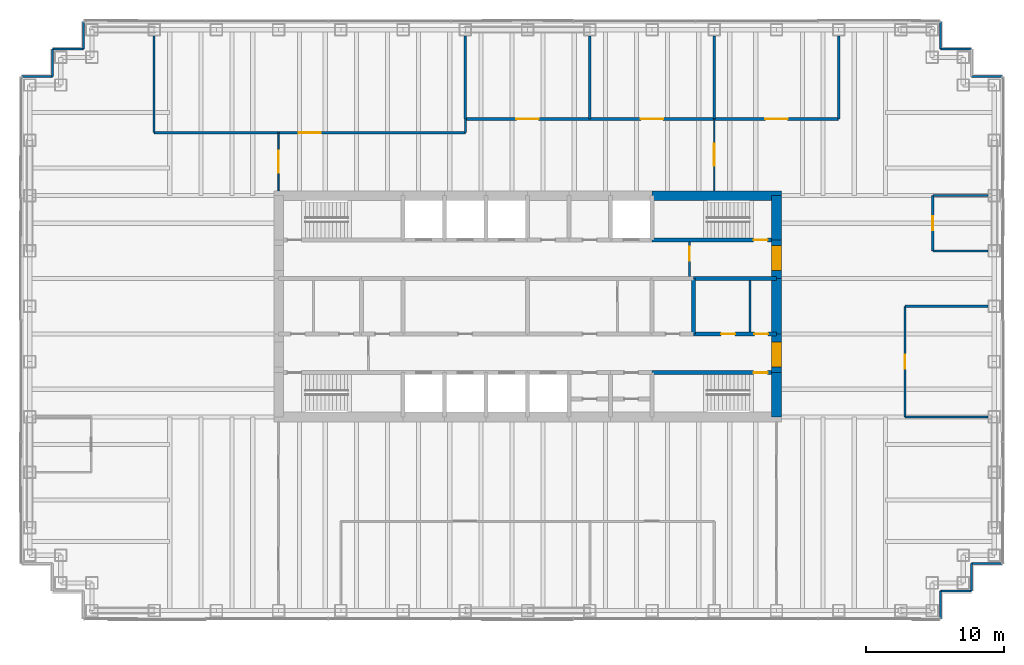
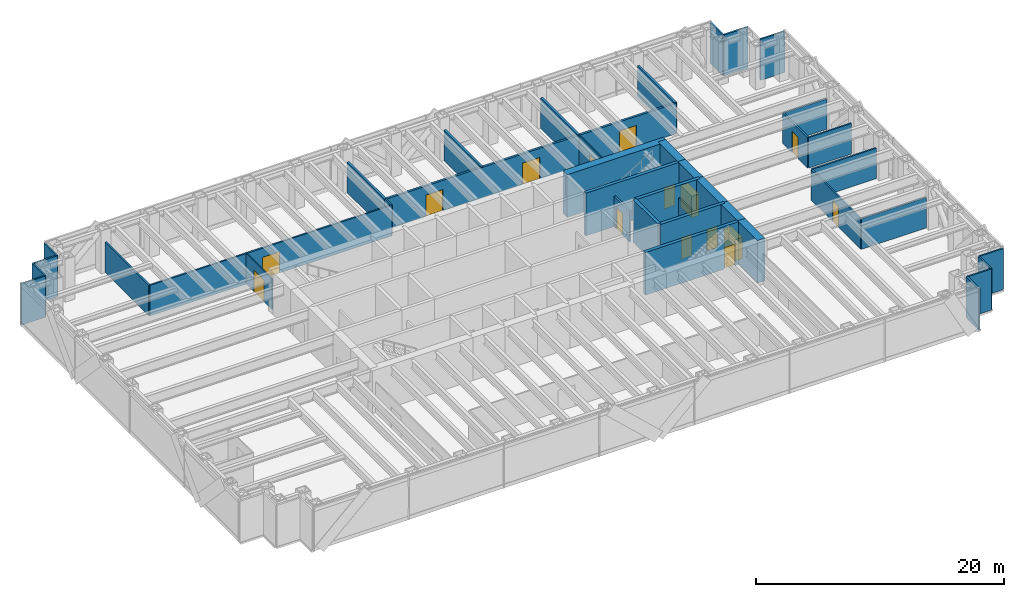
# One storey, part 15 of 17: 40 walls, 15 doors, 15 openings.
"""IFC4 building model written with IfcOpenShell, lengths in metres."""

from ifc_helpers import new_model, si_unit, direction, frame, frame_2d, origin, place, context, subcontext, project, spatial, rectangle, extrude, material, layer, layer_set, type_object, element, fill, save


model = new_model("IFC4")

# Units and contexts
model_context = context("Model", 3, precision=1e-05, world=origin(), true_north=direction((0.0, 1.0)))
body_context = subcontext(model_context, "Body", "Model", "MODEL_VIEW")
ifc_project = project(units=[si_unit("LENGTHUNIT", "METRE"), si_unit("AREAUNIT", "SQUARE_METRE"), si_unit("VOLUMEUNIT", "CUBIC_METRE"), si_unit("PLANEANGLEUNIT", "RADIAN"), si_unit("MASSUNIT", "GRAM", prefix="KILO")], contexts=[model_context])

# Site, building, storey
site_placement = place(None, origin())
site = spatial("IfcSite", under=ifc_project, at=site_placement, CompositionType="ELEMENT")
building_placement = place(site_placement, origin())
building = spatial("IfcBuilding", under=site, at=building_placement, Name="Rheinbord Bourse Tower", CompositionType="ELEMENT")
storey_placement = place(building_placement, frame((0.0, 0.0, 304.699951171875)))
storey = spatial("IfcBuildingStorey", under=building, at=storey_placement, Name="L69", CompositionType="ELEMENT", Elevation=304.699951171875)

# Wall, openings, doors
ifc_material_1 = material(Name="Acoustic gypsum board partition", Category="gypsum board")
ifc_layer_1 = layer(ifc_material_1, 0.199951171875)
ifc_layer_set_1 = layer_set([ifc_layer_1], Name="ACOUSTIC PARTITION 200")
wall_type_1 = type_object("IfcWallType", Name="ACOUSTIC PARTITION 200", PredefinedType="PARTITIONING", material=ifc_layer_set_1)
wall_1_placement = place(storey_placement, frame((31.5, 37.550048828125, 0.0), z_axis=(0.0, 0.0, 1.0), x_axis=(1.0, 0.0, 0.0)))
wall_1 = element("IfcWall", 1, at=wall_1_placement, inside=storey, type_object=wall_type_1, Name="Partition L69-10", PredefinedType="PARTITIONING", context=body_context, shape_type="SweptSolid", body=[
    extrude(rectangle(XDim=27.0, YDim=0.199951171875, at=frame_2d((13.5, 0.0))), origin(), (0.0, 0.0, 1.0), 3.0),
])
opening_1_placement = place(wall_1_placement, frame((3.699951171875, 0.0, 0.0)))
opening_1 = element("IfcOpeningElement", 2, at=opening_1_placement, cuts=wall_1, Name="Opening 69D07", PredefinedType="OPENING", context=body_context, shape_type="SweptSolid", body=[
    extrude(rectangle(XDim=1.60009765625, YDim=2.10009765625, at=frame_2d((0.800048828125, 1.050048828125))), frame((0.0, 0.10986328125, 0.0), z_axis=(0.0, -1.0, 0.0), x_axis=(1.0, 0.0, 0.0)), (0.0, 0.0, 1.0), 0.219970703125),
])
opening_2_placement = place(wall_1_placement, frame((12.699951171875, 0.0, 0.0)))
opening_2 = element("IfcOpeningElement", 3, at=opening_2_placement, cuts=wall_1, Name="Opening 69D08", PredefinedType="OPENING", context=body_context, shape_type="SweptSolid", body=[
    extrude(rectangle(XDim=1.60009765625, YDim=2.10009765625, at=frame_2d((0.800048828125, 1.050048828125))), frame((0.0, 0.10986328125, 0.0), z_axis=(0.0, -1.0, 0.0), x_axis=(1.0, 0.0, 0.0)), (0.0, 0.0, 1.0), 0.219970703125),
])
opening_3_placement = place(wall_1_placement, frame((21.699951171875, 0.0, 0.0)))
opening_3 = element("IfcOpeningElement", 4, at=opening_3_placement, cuts=wall_1, Name="Opening 69D09", PredefinedType="OPENING", context=body_context, shape_type="SweptSolid", body=[
    extrude(rectangle(XDim=1.60009765625, YDim=2.10009765625, at=frame_2d((0.800048828125, 1.050048828125))), frame((0.0, 0.10986328125, 0.0), z_axis=(0.0, -1.0, 0.0), x_axis=(1.0, 0.0, 0.0)), (0.0, 0.0, 1.0), 0.219970703125),
])
ifc_material_2 = material(Name="Timber door", Category="wood")
door_type_1 = type_object("IfcDoorType", Name="DOUBLE ROOM DOOR 1600", OperationType="DOUBLE_DOOR_DOUBLE_SWING", PredefinedType="DOOR", material=ifc_material_2)
door_1_placement = place(opening_1_placement, origin())
door_1 = element("IfcDoor", 5, at=door_1_placement, inside=storey, type_object=door_type_1, Name="Private dining room door L69", OperationType="SINGLE_SWING_LEFT", OverallHeight=2.10009765625, OverallWidth=1.60009765625, PredefinedType="DOOR", context=body_context, shape_type="SweptSolid", body=[
    extrude(rectangle(XDim=1.60009765625, YDim=2.10009765625, at=frame_2d((0.800048828125, 1.050048828125))), frame((0.0, 0.02490234375, 0.0), z_axis=(0.0, -1.0, 0.0), x_axis=(1.0, 0.0, 0.0)), (0.0, 0.0, 1.0), 0.050048828125),
])
fill(opening_1, door_1)
door_2_placement = place(opening_2_placement, origin())
door_2 = element("IfcDoor", 6, at=door_2_placement, inside=storey, type_object=door_type_1, Name="Private dining room door L69", OperationType="SINGLE_SWING_LEFT", OverallHeight=2.10009765625, OverallWidth=1.60009765625, PredefinedType="DOOR", context=body_context, shape_type="SweptSolid", body=[
    extrude(rectangle(XDim=1.60009765625, YDim=2.10009765625, at=frame_2d((0.800048828125, 1.050048828125))), frame((0.0, 0.02490234375, 0.0), z_axis=(0.0, -1.0, 0.0), x_axis=(1.0, 0.0, 0.0)), (0.0, 0.0, 1.0), 0.050048828125),
])
fill(opening_2, door_2)
door_3_placement = place(opening_3_placement, origin())
door_3 = element("IfcDoor", 7, at=door_3_placement, inside=storey, type_object=door_type_1, Name="Private dining room door L69", OperationType="SINGLE_SWING_LEFT", OverallHeight=2.10009765625, OverallWidth=1.60009765625, PredefinedType="DOOR", context=body_context, shape_type="SweptSolid", body=[
    extrude(rectangle(XDim=1.60009765625, YDim=2.10009765625, at=frame_2d((0.800048828125, 1.050048828125))), frame((0.0, 0.02490234375, 0.0), z_axis=(0.0, -1.0, 0.0), x_axis=(1.0, 0.0, 0.0)), (0.0, 0.0, 1.0), 0.050048828125),
])
fill(opening_3, door_3)

# Walls
for number, where, z_axis, x_axis, name in (
    (8, (31.5, 37.550048828125, 0.0), (0.0, 0.0, 1.0), (0.0, 1.0, 0.0), "Partition L69-17"),
    (9, (40.5, 37.550048828125, 0.0), (0.0, 0.0, 1.0), (0.0, 1.0, 0.0), "Partition L69-19"),
    (10, (49.5, 37.550048828125, 0.0), (0.0, 0.0, 1.0), (0.0, 1.0, 0.0), "Partition L69-22"),
    (11, (58.5, 37.550048828125, 0.0), (0.0, 0.0, 1.0), (0.0, 1.0, 0.0), "Partition L69-24"),
):
    element("IfcWall", number, at=place(storey_placement, frame(where, z_axis=z_axis, x_axis=x_axis)), inside=storey, type_object=wall_type_1, Name=name, PredefinedType="PARTITIONING", context=body_context, shape_type="SweptSolid", body=[
        extrude(rectangle(XDim=6.0, YDim=0.199951171875, at=frame_2d((3.0, 0.0))), origin(), (0.0, 0.0, 1.0), 3.0),
    ])

# Wall, opening, door
ifc_material_3 = material(Name="Concrete C50/60", Category="concrete")
ifc_layer_2 = layer(ifc_material_3, 0.300048828125)
ifc_layer_set_2 = layer_set([ifc_layer_2], Name="CORE INNER WALL 300")
wall_type_2 = type_object("IfcWallType", Name="CORE INNER WALL 300", PredefinedType="SOLIDWALL", material=ifc_layer_set_2)
wall_2_placement = place(storey_placement, frame((45.0, 19.199951171875, 0.0), z_axis=(0.0, 0.0, 1.0), x_axis=(1.0, 0.0, 0.0)))
wall_2 = element("IfcWall", 12, at=wall_2_placement, inside=storey, type_object=wall_type_2, Name="Core wall A8 L69", PredefinedType="SOLIDWALL", context=body_context, shape_type="SweptSolid", body=[
    extrude(rectangle(XDim=9.0, YDim=0.300048828125, at=frame_2d((4.5, 0.0))), origin(), (0.0, 0.0, 1.0), 4.199951171875),
])
opening_4_placement = place(wall_2_placement, frame((7.35009765625, 0.0, 0.0)))
opening_4 = element("IfcOpeningElement", 13, at=opening_4_placement, cuts=wall_2, Name="Opening 6930", PredefinedType="OPENING", context=body_context, shape_type="SweptSolid", body=[
    extrude(rectangle(XDim=1.0, YDim=2.10009765625, at=frame_2d((0.5, 1.050048828125))), frame((0.0, 0.159912109375, 0.0), z_axis=(0.0, -1.0, 0.0), x_axis=(1.0, 0.0, 0.0)), (0.0, 0.0, 1.0), 0.320068359375),
])
ifc_material_4 = material(Name="Steel door", Category="steel")
door_type_2 = type_object("IfcDoorType", Name="DOOR 1000 EI30", OperationType="SINGLE_SWING_LEFT", PredefinedType="DOOR", material=ifc_material_4)
door_4_placement = place(opening_4_placement, origin())
door_4 = element("IfcDoor", 14, at=door_4_placement, inside=storey, type_object=door_type_2, Name="Stair door ST3 L69", OperationType="SINGLE_SWING_RIGHT", OverallHeight=2.10009765625, OverallWidth=1.0, PredefinedType="DOOR", context=body_context, shape_type="SweptSolid", body=[
    extrude(rectangle(XDim=1.0, YDim=2.10009765625, at=frame_2d((0.5, 1.050048828125))), frame((0.0, 0.02490234375, 0.0), z_axis=(0.0, -1.0, 0.0), x_axis=(1.0, 0.0, 0.0)), (0.0, 0.0, 1.0), 0.050048828125),
])
fill(opening_4, door_4)

wall_3_placement = place(storey_placement, frame((45.0, 28.800048828125, 0.0), z_axis=(0.0, 0.0, 1.0), x_axis=(1.0, 0.0, 0.0)))
wall_3 = element("IfcWall", 15, at=wall_3_placement, inside=storey, type_object=wall_type_2, Name="Core wall B8 L69", PredefinedType="SOLIDWALL", context=body_context, shape_type="SweptSolid", body=[
    extrude(rectangle(XDim=9.0, YDim=0.300048828125, at=frame_2d((4.5, 0.0))), origin(), (0.0, 0.0, 1.0), 4.199951171875),
])
opening_5_placement = place(wall_3_placement, frame((7.35009765625, 0.0, 0.0)))
opening_5 = element("IfcOpeningElement", 16, at=opening_5_placement, cuts=wall_3, Name="Opening 6940", PredefinedType="OPENING", context=body_context, shape_type="SweptSolid", body=[
    extrude(rectangle(XDim=1.0, YDim=2.10009765625, at=frame_2d((0.5, 1.050048828125))), frame((0.0, 0.159912109375, 0.0), z_axis=(0.0, -1.0, 0.0), x_axis=(1.0, 0.0, 0.0)), (0.0, 0.0, 1.0), 0.320068359375),
])
door_5_placement = place(opening_5_placement, origin())
door_5 = element("IfcDoor", 17, at=door_5_placement, inside=storey, type_object=door_type_2, Name="Stair door ST4 L69", OperationType="SINGLE_SWING_RIGHT", OverallHeight=2.10009765625, OverallWidth=1.0, PredefinedType="DOOR", context=body_context, shape_type="SweptSolid", body=[
    extrude(rectangle(XDim=1.0, YDim=2.10009765625, at=frame_2d((0.5, 1.050048828125))), frame((0.0, 0.02490234375, 0.0), z_axis=(0.0, -1.0, 0.0), x_axis=(1.0, 0.0, 0.0)), (0.0, 0.0, 1.0), 0.050048828125),
])
fill(opening_5, door_5)

# Wall, openings, doors
wall_4_placement = place(storey_placement, frame((48.0, 22.0, 0.0), z_axis=(0.0, 0.0, 1.0), x_axis=(1.0, 0.0, 0.0)))
wall_4 = element("IfcWall", 18, at=wall_4_placement, inside=storey, type_object=wall_type_2, Name="Core wall C6 L69", PredefinedType="SOLIDWALL", context=body_context, shape_type="SweptSolid", body=[
    extrude(rectangle(XDim=6.0, YDim=0.300048828125, at=frame_2d((3.0, 0.0))), origin(), (0.0, 0.0, 1.0), 4.199951171875),
])
opening_6_placement = place(wall_4_placement, frame((2.0, 0.0, 0.0)))
opening_6 = element("IfcOpeningElement", 19, at=opening_6_placement, cuts=wall_4, Name="Opening 69R6", PredefinedType="OPENING", context=body_context, shape_type="SweptSolid", body=[
    extrude(rectangle(XDim=1.0, YDim=2.10009765625, at=frame_2d((0.5, 1.050048828125))), frame((0.0, 0.159912109375, 0.0), z_axis=(0.0, -1.0, 0.0), x_axis=(1.0, 0.0, 0.0)), (0.0, 0.0, 1.0), 0.320068359375),
])
opening_7_placement = place(wall_4_placement, frame((4.39990234375, 0.0, 0.0)))
opening_7 = element("IfcOpeningElement", 20, at=opening_7_placement, cuts=wall_4, Name="Opening 69R10", PredefinedType="OPENING", context=body_context, shape_type="SweptSolid", body=[
    extrude(rectangle(XDim=1.0, YDim=2.10009765625, at=frame_2d((0.5, 1.050048828125))), frame((0.0, 0.159912109375, 0.0), z_axis=(0.0, -1.0, 0.0), x_axis=(1.0, 0.0, 0.0)), (0.0, 0.0, 1.0), 0.320068359375),
])
door_6_placement = place(opening_7_placement, origin())
door_6 = element("IfcDoor", 21, at=door_6_placement, inside=storey, type_object=door_type_2, Name="Cleaner's store door L69", OperationType="SINGLE_SWING_RIGHT", OverallHeight=2.10009765625, OverallWidth=1.0, PredefinedType="DOOR", context=body_context, shape_type="SweptSolid", body=[
    extrude(rectangle(XDim=1.0, YDim=2.10009765625, at=frame_2d((0.5, 1.050048828125))), frame((0.0, 0.02490234375, 0.0), z_axis=(0.0, -1.0, 0.0), x_axis=(1.0, 0.0, 0.0)), (0.0, 0.0, 1.0), 0.050048828125),
])
fill(opening_7, door_6)
ifc_material_5 = material(Name="Timber door", Category="wood")
door_type_3 = type_object("IfcDoorType", Name="DOOR 1000 WC", OperationType="SINGLE_SWING_LEFT", PredefinedType="DOOR", material=ifc_material_5)
door_7_placement = place(opening_6_placement, origin())
door_7 = element("IfcDoor", 22, at=door_7_placement, inside=storey, type_object=door_type_3, Name="WC women door L69", OperationType="SINGLE_SWING_LEFT", OverallHeight=2.10009765625, OverallWidth=1.0, PredefinedType="DOOR", context=body_context, shape_type="SweptSolid", body=[
    extrude(rectangle(XDim=1.0, YDim=2.10009765625, at=frame_2d((0.5, 1.050048828125))), frame((0.0, 0.02490234375, 0.0), z_axis=(0.0, -1.0, 0.0), x_axis=(1.0, 0.0, 0.0)), (0.0, 0.0, 1.0), 0.050048828125),
])
fill(opening_6, door_7)

# Walls
wall_5_placement = place(storey_placement, frame((48.0, 26.0, 0.0), z_axis=(0.0, 0.0, 1.0), x_axis=(1.0, 0.0, 0.0)))
element("IfcWall", 23, at=wall_5_placement, inside=storey, type_object=wall_type_2, Name="Core wall D6 L69", PredefinedType="SOLIDWALL", context=body_context, shape_type="SweptSolid", body=[
    extrude(rectangle(XDim=6.0, YDim=0.300048828125, at=frame_2d((3.0, 0.0))), origin(), (0.0, 0.0, 1.0), 4.199951171875),
])
wall_6_placement = place(storey_placement, frame((48.0, 22.0, 0.0), z_axis=(0.0, 0.0, 1.0), x_axis=(0.0, 1.0, 0.0)))
element("IfcWall", 24, at=wall_6_placement, inside=storey, type_object=wall_type_2, Name="Core wall MX48 L69", PredefinedType="SOLIDWALL", context=body_context, shape_type="SweptSolid", body=[
    extrude(rectangle(XDim=4.0, YDim=0.300048828125, at=frame_2d((2.0, 0.0))), origin(), (0.0, 0.0, 1.0), 4.199951171875),
])
ifc_material_6 = material(Name="Gypsum board fire partition", Category="gypsum board")
ifc_layer_3 = layer(ifc_material_6, 0.14990234375)
ifc_layer_set_3 = layer_set([ifc_layer_3], Name="CORE PARTITION 150 EI30")
wall_type_3 = type_object("IfcWallType", Name="CORE PARTITION 150 EI30", PredefinedType="PARTITIONING", material=ifc_layer_set_3)
wall_7_placement = place(storey_placement, frame((52.074951171875, 22.14990234375, 0.0), z_axis=(0.0, 0.0, 1.0), x_axis=(0.0, 1.0, 0.0)))
element("IfcWall", 25, at=wall_7_placement, inside=storey, type_object=wall_type_3, Name="Core partition L69-3", PredefinedType="PARTITIONING", context=body_context, shape_type="SweptSolid", body=[
    extrude(rectangle(XDim=3.7001953125, YDim=0.14990234375, at=frame_2d((1.85009765625, 0.0))), origin(), (0.0, 0.0, 1.0), 3.0),
])

# Wall, opening, door
wall_8_placement = place(storey_placement, frame((47.699951171875, 26.14990234375, 0.0), z_axis=(0.0, 0.0, 1.0), x_axis=(0.0, 1.0, 0.0)))
wall_8 = element("IfcWall", 26, at=wall_8_placement, inside=storey, type_object=wall_type_3, Name="Core partition L69-5", PredefinedType="PARTITIONING", context=body_context, shape_type="SweptSolid", body=[
    extrude(rectangle(XDim=2.5, YDim=0.14990234375, at=frame_2d((1.25, 0.0))), origin(), (0.0, 0.0, 1.0), 3.0),
])
opening_8_placement = place(wall_8_placement, frame((1.14990234375, 0.0, 0.0)))
opening_8 = element("IfcOpeningElement", 27, at=opening_8_placement, cuts=wall_8, Name="Opening 69L6", PredefinedType="OPENING", context=body_context, shape_type="SweptSolid", body=[
    extrude(rectangle(XDim=1.0, YDim=2.10009765625, at=frame_2d((0.5, 1.050048828125))), frame((0.0, 0.0849609375, 0.0), z_axis=(0.0, -1.0, 0.0), x_axis=(1.0, 0.0, 0.0)), (0.0, 0.0, 1.0), 0.169921875),
])
door_8_placement = place(opening_8_placement, origin())
door_8 = element("IfcDoor", 28, at=door_8_placement, inside=storey, type_object=door_type_2, Name="Stair lobby door L69", OperationType="SINGLE_SWING_RIGHT", OverallHeight=2.10009765625, OverallWidth=1.0, PredefinedType="DOOR", context=body_context, shape_type="SweptSolid", body=[
    extrude(rectangle(XDim=1.0, YDim=2.10009765625, at=frame_2d((0.5, 1.050048828125))), frame((0.0, 0.02490234375, 0.0), z_axis=(0.0, -1.0, 0.0), x_axis=(1.0, 0.0, 0.0)), (0.0, 0.0, 1.0), 0.050048828125),
])
fill(opening_8, door_8)

# Walls
ifc_material_7 = material(Name="Concrete C50/60", Category="concrete")
ifc_layer_4 = layer(ifc_material_7, 0.699951171875)
ifc_layer_set_4 = layer_set([ifc_layer_4], Name="CORE WALL 700")
wall_type_4 = type_object("IfcWallType", Name="CORE WALL 700", PredefinedType="SHEAR", material=ifc_layer_set_4)
wall_9_placement = place(storey_placement, frame((54.35009765625, 32.0, 0.0), z_axis=(0.0, 0.0, 1.0), x_axis=(-1.0, 0.0, 0.0)))
element("IfcWall", 29, at=wall_9_placement, inside=storey, type_object=wall_type_4, Name="Core wall N1 L69", PredefinedType="SHEAR", context=body_context, shape_type="SweptSolid", body=[
    extrude(rectangle(XDim=9.35009765625, YDim=0.699951171875, at=frame_2d((4.675048828125, 0.0))), origin(), (0.0, 0.0, 1.0), 4.199951171875),
])
wall_10_placement = place(storey_placement, frame((54.0, 16.0, 0.0), z_axis=(0.0, 0.0, 1.0), x_axis=(0.0, 1.0, 0.0)))
element("IfcWall", 30, at=wall_10_placement, inside=storey, type_object=wall_type_4, Name="Core wall E1 L69", PredefinedType="SHEAR", context=body_context, shape_type="SweptSolid", body=[
    extrude(rectangle(XDim=3.199951171875, YDim=0.699951171875, at=frame_2d((1.60009765625, 0.0))), origin(), (0.0, 0.0, 1.0), 4.199951171875),
])

# Wall, opening, door
wall_11_placement = place(storey_placement, frame((54.0, 19.199951171875, 0.0), z_axis=(0.0, 0.0, 1.0), x_axis=(0.0, 1.0, 0.0)))
wall_11 = element("IfcWall", 31, at=wall_11_placement, inside=storey, type_object=wall_type_4, Name="Core wall E2 L69", PredefinedType="SHEAR", context=body_context, shape_type="SweptSolid", body=[
    extrude(rectangle(XDim=2.800048828125, YDim=0.699951171875, at=frame_2d((1.39990234375, 0.0))), origin(), (0.0, 0.0, 1.0), 4.199951171875),
])
opening_9_placement = place(wall_11_placement, frame((0.39990234375, 0.0, 0.0)))
opening_9 = element("IfcOpeningElement", 32, at=opening_9_placement, cuts=wall_11, Name="Opening 69L3", PredefinedType="OPENING", context=body_context, shape_type="SweptSolid", body=[
    extrude(rectangle(XDim=1.800048828125, YDim=2.10009765625, at=frame_2d((0.89990234375, 1.050048828125))), frame((0.0, 0.35986328125, 0.0), z_axis=(0.0, -1.0, 0.0), x_axis=(1.0, 0.0, 0.0)), (0.0, 0.0, 1.0), 0.719970703125),
])
ifc_material_8 = material(Name="Steel door", Category="steel")
door_type_4 = type_object("IfcDoorType", Name="DOOR 1800 EI30 DOUBLE", OperationType="DOUBLE_DOOR_DOUBLE_SWING", PredefinedType="DOOR", material=ifc_material_8)
door_9_placement = place(opening_9_placement, origin())
door_9 = element("IfcDoor", 33, at=door_9_placement, inside=storey, type_object=door_type_4, Name="Lobby door 3 L69", OperationType="SINGLE_SWING_LEFT", OverallHeight=2.10009765625, OverallWidth=1.800048828125, PredefinedType="DOOR", context=body_context, shape_type="SweptSolid", body=[
    extrude(rectangle(XDim=1.800048828125, YDim=2.10009765625, at=frame_2d((0.89990234375, 1.050048828125))), frame((0.0, 0.349609375, 0.0), z_axis=(0.0, -1.0, 0.0), x_axis=(1.0, 0.0, 0.0)), (0.0, 0.0, 1.0), 0.699462890625),
])
fill(opening_9, door_9)

# Wall
wall_12_placement = place(storey_placement, frame((54.0, 22.0, 0.0), z_axis=(0.0, 0.0, 1.0), x_axis=(0.0, 1.0, 0.0)))
element("IfcWall", 34, at=wall_12_placement, inside=storey, type_object=wall_type_4, Name="Core wall E3 L69", PredefinedType="SHEAR", context=body_context, shape_type="SweptSolid", body=[
    extrude(rectangle(XDim=4.0, YDim=0.699951171875, at=frame_2d((2.0, 0.0))), origin(), (0.0, 0.0, 1.0), 4.199951171875),
])

# Wall, opening, door
wall_13_placement = place(storey_placement, frame((54.0, 26.0, 0.0), z_axis=(0.0, 0.0, 1.0), x_axis=(0.0, 1.0, 0.0)))
wall_13 = element("IfcWall", 35, at=wall_13_placement, inside=storey, type_object=wall_type_4, Name="Core wall E4 L69", PredefinedType="SHEAR", context=body_context, shape_type="SweptSolid", body=[
    extrude(rectangle(XDim=2.800048828125, YDim=0.699951171875, at=frame_2d((1.39990234375, 0.0))), origin(), (0.0, 0.0, 1.0), 4.199951171875),
])
opening_10_placement = place(wall_13_placement, frame((0.60009765625, 0.0, 0.0)))
opening_10 = element("IfcOpeningElement", 36, at=opening_10_placement, cuts=wall_13, Name="Opening 69L4", PredefinedType="OPENING", context=body_context, shape_type="SweptSolid", body=[
    extrude(rectangle(XDim=1.800048828125, YDim=2.10009765625, at=frame_2d((0.89990234375, 1.050048828125))), frame((0.0, 0.35986328125, 0.0), z_axis=(0.0, -1.0, 0.0), x_axis=(1.0, 0.0, 0.0)), (0.0, 0.0, 1.0), 0.719970703125),
])
door_10_placement = place(opening_10_placement, origin())
door_10 = element("IfcDoor", 37, at=door_10_placement, inside=storey, type_object=door_type_4, Name="Lobby door 4 L69", OperationType="SINGLE_SWING_LEFT", OverallHeight=2.10009765625, OverallWidth=1.800048828125, PredefinedType="DOOR", context=body_context, shape_type="SweptSolid", body=[
    extrude(rectangle(XDim=1.800048828125, YDim=2.10009765625, at=frame_2d((0.89990234375, 1.050048828125))), frame((0.0, 0.349609375, 0.0), z_axis=(0.0, -1.0, 0.0), x_axis=(1.0, 0.0, 0.0)), (0.0, 0.0, 1.0), 0.699462890625),
])
fill(opening_10, door_10)

# Walls
wall_14_placement = place(storey_placement, frame((54.0, 28.800048828125, 0.0), z_axis=(0.0, 0.0, 1.0), x_axis=(0.0, 1.0, 0.0)))
element("IfcWall", 38, at=wall_14_placement, inside=storey, type_object=wall_type_4, Name="Core wall E5 L69", PredefinedType="SHEAR", context=body_context, shape_type="SweptSolid", body=[
    extrude(rectangle(XDim=3.199951171875, YDim=0.699951171875, at=frame_2d((1.60009765625, 0.0))), origin(), (0.0, 0.0, 1.0), 4.199951171875),
])
ifc_material_9 = material(Name="Black metal rainscreen panel", Category="aluminium")
ifc_layer_5 = layer(ifc_material_9, 0.14990234375)
ifc_layer_set_5 = layer_set([ifc_layer_5], Name="CORNER PIER CLADDING 150")
wall_type_5 = type_object("IfcWallType", Name="CORNER PIER CLADDING 150", PredefinedType="ELEMENTEDWALL", material=ifc_layer_set_5)
wall_15_placement = place(storey_placement, frame((65.85009765625, 1.39990234375, 0.0), z_axis=(0.0, 0.0, 1.0), x_axis=(0.0, 1.0, 0.0)))
element("IfcWall", 39, at=wall_15_placement, inside=storey, type_object=wall_type_5, Name="Corner pier cladding L69 2", PredefinedType="ELEMENTEDWALL", context=body_context, shape_type="SweptSolid", body=[
    extrude(rectangle(XDim=2.0, YDim=0.14990234375, at=frame_2d((1.0, 0.0))), origin(), (0.0, 0.0, 1.0), 4.0400390625),
])
wall_16_placement = place(storey_placement, frame((65.85009765625, 3.39990234375, 0.0), z_axis=(0.0, 0.0, 1.0), x_axis=(1.0, 0.0, 0.0)))
element("IfcWall", 40, at=wall_16_placement, inside=storey, type_object=wall_type_5, Name="Corner pier cladding L69 3", PredefinedType="ELEMENTEDWALL", context=body_context, shape_type="SweptSolid", body=[
    extrude(rectangle(XDim=2.25, YDim=0.14990234375, at=frame_2d((1.125, 0.0))), origin(), (0.0, 0.0, 1.0), 4.0400390625),
])
wall_17_placement = place(storey_placement, frame((68.10009765625, 3.39990234375, 0.0), z_axis=(0.0, 0.0, 1.0), x_axis=(0.0, 1.0, 0.0)))
element("IfcWall", 41, at=wall_17_placement, inside=storey, type_object=wall_type_5, Name="Corner pier cladding L69 4", PredefinedType="ELEMENTEDWALL", context=body_context, shape_type="SweptSolid", body=[
    extrude(rectangle(XDim=2.0, YDim=0.14990234375, at=frame_2d((1.0, 0.0))), origin(), (0.0, 0.0, 1.0), 4.0400390625),
])
for number, where, z_axis, x_axis, name in (
    (42, (68.10009765625, 5.39990234375, 0.0), (0.0, 0.0, 1.0), (1.0, 0.0, 0.0), "Corner pier cladding L69 5"),
    (43, (70.35009765625, 40.60009765625, 0.0), (0.0, 0.0, 1.0), (-1.0, 0.0, 0.0), "Corner pier cladding L69 7"),
    (44, (68.10009765625, 42.60009765625, 0.0), (0.0, 0.0, 1.0), (-1.0, 0.0, 0.0), "Corner pier cladding L69 9"),
):
    element("IfcWall", number, at=place(storey_placement, frame(where, z_axis=z_axis, x_axis=x_axis)), inside=storey, type_object=wall_type_5, Name=name, PredefinedType="ELEMENTEDWALL", context=body_context, shape_type="SweptSolid", body=[
        extrude(rectangle(XDim=2.25, YDim=0.14990234375, at=frame_2d((1.125, 0.0))), origin(), (0.0, 0.0, 1.0), 4.0400390625),
    ])
for number, where, z_axis, x_axis, name in (
    (45, (65.85009765625, 42.60009765625, 0.0), (0.0, 0.0, 1.0), (0.0, 1.0, 0.0), "Corner pier cladding L69 10"),
    (46, (3.89990234375, 44.60009765625, 0.0), (0.0, 0.0, 1.0), (0.0, -1.0, 0.0), "Corner pier cladding L69 12"),
):
    element("IfcWall", number, at=place(storey_placement, frame(where, z_axis=z_axis, x_axis=x_axis)), inside=storey, type_object=wall_type_5, Name=name, PredefinedType="ELEMENTEDWALL", context=body_context, shape_type="SweptSolid", body=[
        extrude(rectangle(XDim=2.0, YDim=0.14990234375, at=frame_2d((1.0, 0.0))), origin(), (0.0, 0.0, 1.0), 4.0400390625),
    ])
wall_18_placement = place(storey_placement, frame((3.89990234375, 42.60009765625, 0.0), z_axis=(0.0, 0.0, 1.0), x_axis=(-1.0, 0.0, 0.0)))
element("IfcWall", 47, at=wall_18_placement, inside=storey, type_object=wall_type_5, Name="Corner pier cladding L69 13", PredefinedType="ELEMENTEDWALL", context=body_context, shape_type="SweptSolid", body=[
    extrude(rectangle(XDim=2.25, YDim=0.14990234375, at=frame_2d((1.125, 0.0))), origin(), (0.0, 0.0, 1.0), 4.0400390625),
])
wall_19_placement = place(storey_placement, frame((1.64990234375, 42.60009765625, 0.0), z_axis=(0.0, 0.0, 1.0), x_axis=(0.0, -1.0, 0.0)))
element("IfcWall", 48, at=wall_19_placement, inside=storey, type_object=wall_type_5, Name="Corner pier cladding L69 14", PredefinedType="ELEMENTEDWALL", context=body_context, shape_type="SweptSolid", body=[
    extrude(rectangle(XDim=2.0, YDim=0.14990234375, at=frame_2d((1.0, 0.0))), origin(), (0.0, 0.0, 1.0), 4.0400390625),
])
wall_20_placement = place(storey_placement, frame((1.64990234375, 40.60009765625, 0.0), z_axis=(0.0, 0.0, 1.0), x_axis=(-1.0, 0.0, 0.0)))
element("IfcWall", 49, at=wall_20_placement, inside=storey, type_object=wall_type_5, Name="Corner pier cladding L69 15", PredefinedType="ELEMENTEDWALL", context=body_context, shape_type="SweptSolid", body=[
    extrude(rectangle(XDim=2.25, YDim=0.14990234375, at=frame_2d((1.125, 0.0))), origin(), (0.0, 0.0, 1.0), 4.0400390625),
])

# Wall, opening, door
ifc_material_10 = material(Name="Toughened laminated glass partition", Category="glass")
ifc_layer_6 = layer(ifc_material_10, 0.10009765625)
ifc_layer_set_6 = layer_set([ifc_layer_6], Name="GLAZED PARTITION 100")
wall_type_6 = type_object("IfcWallType", Name="GLAZED PARTITION 100", PredefinedType="PARTITIONING", material=ifc_layer_set_6)
wall_21_placement = place(storey_placement, frame((18.0, 32.35009765625, 0.0), z_axis=(0.0, 0.0, 1.0), x_axis=(0.0, 1.0, 0.0)))
wall_21 = element("IfcWall", 50, at=wall_21_placement, inside=storey, type_object=wall_type_6, Name="Partition L69-14", PredefinedType="PARTITIONING", context=body_context, shape_type="SweptSolid", body=[
    extrude(rectangle(XDim=4.199951171875, YDim=0.10009765625, at=frame_2d((2.10009765625, 0.0))), origin(), (0.0, 0.0, 1.0), 3.0),
])
opening_11_placement = place(wall_21_placement, frame((1.300048828125, 0.0, 0.0)))
opening_11 = element("IfcOpeningElement", 51, at=opening_11_placement, cuts=wall_21, Name="Opening 69D12", PredefinedType="OPENING", context=body_context, shape_type="SweptSolid", body=[
    extrude(rectangle(XDim=1.60009765625, YDim=2.10009765625, at=frame_2d((0.800048828125, 1.050048828125))), frame((0.0, 0.06005859375, 0.0), z_axis=(0.0, -1.0, 0.0), x_axis=(1.0, 0.0, 0.0)), (0.0, 0.0, 1.0), 0.1201171875),
])
door_11_placement = place(opening_11_placement, origin())
door_11 = element("IfcDoor", 52, at=door_11_placement, inside=storey, type_object=door_type_1, Name="Open area door L69", OperationType="SINGLE_SWING_LEFT", OverallHeight=2.10009765625, OverallWidth=1.60009765625, PredefinedType="DOOR", context=body_context, shape_type="SweptSolid", body=[
    extrude(rectangle(XDim=1.60009765625, YDim=2.10009765625, at=frame_2d((0.800048828125, 1.050048828125))), frame((0.0, 0.02490234375, 0.0), z_axis=(0.0, -1.0, 0.0), x_axis=(1.0, 0.0, 0.0)), (0.0, 0.0, 1.0), 0.050048828125),
])
fill(opening_11, door_11)

wall_22_placement = place(storey_placement, frame((49.5, 32.35009765625, 0.0), z_axis=(0.0, 0.0, 1.0), x_axis=(0.0, 1.0, 0.0)))
wall_22 = element("IfcWall", 53, at=wall_22_placement, inside=storey, type_object=wall_type_6, Name="Partition L69-21", PredefinedType="PARTITIONING", context=body_context, shape_type="SweptSolid", body=[
    extrude(rectangle(XDim=5.199951171875, YDim=0.10009765625, at=frame_2d((2.60009765625, 0.0))), origin(), (0.0, 0.0, 1.0), 3.0),
])
opening_12_placement = place(wall_22_placement, frame((1.800048828125, 0.0, 0.0)))
opening_12 = element("IfcOpeningElement", 54, at=opening_12_placement, cuts=wall_22, Name="Opening 69D15", PredefinedType="OPENING", context=body_context, shape_type="SweptSolid", body=[
    extrude(rectangle(XDim=1.60009765625, YDim=2.10009765625, at=frame_2d((0.800048828125, 1.050048828125))), frame((0.0, 0.06005859375, 0.0), z_axis=(0.0, -1.0, 0.0), x_axis=(1.0, 0.0, 0.0)), (0.0, 0.0, 1.0), 0.1201171875),
])
door_12_placement = place(opening_12_placement, origin())
door_12 = element("IfcDoor", 55, at=door_12_placement, inside=storey, type_object=door_type_1, Name="Open area door L69", OperationType="SINGLE_SWING_LEFT", OverallHeight=2.10009765625, OverallWidth=1.60009765625, PredefinedType="DOOR", context=body_context, shape_type="SweptSolid", body=[
    extrude(rectangle(XDim=1.60009765625, YDim=2.10009765625, at=frame_2d((0.800048828125, 1.050048828125))), frame((0.0, 0.02490234375, 0.0), z_axis=(0.0, -1.0, 0.0), x_axis=(1.0, 0.0, 0.0)), (0.0, 0.0, 1.0), 0.050048828125),
])
fill(opening_12, door_12)

# Walls
ifc_material_11 = material(Name="Gypsum board partition", Category="gypsum board")
ifc_layer_7 = layer(ifc_material_11, 0.14990234375)
ifc_layer_set_7 = layer_set([ifc_layer_7], Name="PARTITION 150")
wall_type_7 = type_object("IfcWallType", Name="PARTITION 150", PredefinedType="PARTITIONING", material=ifc_layer_set_7)
for number, where, z_axis, x_axis, name in (
    (56, (63.300048828125, 16.0, 0.0), (0.0, 0.0, 1.0), (1.0, 0.0, 0.0), "Partition L69-05"),
    (57, (63.300048828125, 24.0, 0.0), (0.0, 0.0, 1.0), (1.0, 0.0, 0.0), "Partition L69-06"),
):
    element("IfcWall", number, at=place(storey_placement, frame(where, z_axis=z_axis, x_axis=x_axis)), inside=storey, type_object=wall_type_7, Name=name, PredefinedType="PARTITIONING", context=body_context, shape_type="SweptSolid", body=[
        extrude(rectangle(XDim=6.0, YDim=0.14990234375, at=frame_2d((3.0, 0.0))), origin(), (0.0, 0.0, 1.0), 3.0),
    ])
for number, where, z_axis, x_axis, name in (
    (58, (65.300048828125, 28.0, 0.0), (0.0, 0.0, 1.0), (1.0, 0.0, 0.0), "Partition L69-07"),
    (59, (65.300048828125, 32.0, 0.0), (0.0, 0.0, 1.0), (1.0, 0.0, 0.0), "Partition L69-08"),
):
    element("IfcWall", number, at=place(storey_placement, frame(where, z_axis=z_axis, x_axis=x_axis)), inside=storey, type_object=wall_type_7, Name=name, PredefinedType="PARTITIONING", context=body_context, shape_type="SweptSolid", body=[
        extrude(rectangle(XDim=4.0, YDim=0.14990234375, at=frame_2d((2.0, 0.0))), origin(), (0.0, 0.0, 1.0), 3.0),
    ])

# Wall, opening, door
wall_23_placement = place(storey_placement, frame((9.0, 36.550048828125, 0.0), z_axis=(0.0, 0.0, 1.0), x_axis=(1.0, 0.0, 0.0)))
wall_23 = element("IfcWall", 60, at=wall_23_placement, inside=storey, type_object=wall_type_7, Name="Partition L69-09", PredefinedType="PARTITIONING", context=body_context, shape_type="SweptSolid", body=[
    extrude(rectangle(XDim=22.5, YDim=0.14990234375, at=frame_2d((11.25, 0.0))), origin(), (0.0, 0.0, 1.0), 3.0),
])
opening_13_placement = place(wall_23_placement, frame((10.449951171875, 0.0, 0.0)))
opening_13 = element("IfcOpeningElement", 61, at=opening_13_placement, cuts=wall_23, Name="Opening 69D06", PredefinedType="OPENING", context=body_context, shape_type="SweptSolid", body=[
    extrude(rectangle(XDim=1.60009765625, YDim=2.10009765625, at=frame_2d((0.800048828125, 1.050048828125))), frame((0.0, 0.0849609375, 0.0), z_axis=(0.0, -1.0, 0.0), x_axis=(1.0, 0.0, 0.0)), (0.0, 0.0, 1.0), 0.169921875),
])
door_13_placement = place(opening_13_placement, origin())
door_13 = element("IfcDoor", 62, at=door_13_placement, inside=storey, type_object=door_type_1, Name="Members reading room door L69", OperationType="SINGLE_SWING_LEFT", OverallHeight=2.10009765625, OverallWidth=1.60009765625, PredefinedType="DOOR", context=body_context, shape_type="SweptSolid", body=[
    extrude(rectangle(XDim=1.60009765625, YDim=2.10009765625, at=frame_2d((0.800048828125, 1.050048828125))), frame((0.0, 0.02490234375, 0.0), z_axis=(0.0, -1.0, 0.0), x_axis=(1.0, 0.0, 0.0)), (0.0, 0.0, 1.0), 0.050048828125),
])
fill(opening_13, door_13)

# Walls
wall_24_placement = place(storey_placement, frame((9.0, 36.550048828125, 0.0), z_axis=(0.0, 0.0, 1.0), x_axis=(0.0, 1.0, 0.0)))
element("IfcWall", 63, at=wall_24_placement, inside=storey, type_object=wall_type_7, Name="Partition L69-12", PredefinedType="PARTITIONING", context=body_context, shape_type="SweptSolid", body=[
    extrude(rectangle(XDim=7.0, YDim=0.14990234375, at=frame_2d((3.5, 0.0))), origin(), (0.0, 0.0, 1.0), 3.0),
])
wall_25_placement = place(storey_placement, frame((31.5, 36.550048828125, 0.0), z_axis=(0.0, 0.0, 1.0), x_axis=(0.0, 1.0, 0.0)))
element("IfcWall", 64, at=wall_25_placement, inside=storey, type_object=wall_type_7, Name="Partition L69-16", PredefinedType="PARTITIONING", context=body_context, shape_type="SweptSolid", body=[
    extrude(rectangle(XDim=1.0, YDim=0.14990234375, at=frame_2d((0.5, 0.0))), origin(), (0.0, 0.0, 1.0), 3.0),
])

# Wall, opening, door
wall_26_placement = place(storey_placement, frame((63.300048828125, 16.0, 0.0), z_axis=(0.0, 0.0, 1.0), x_axis=(0.0, 1.0, 0.0)))
wall_26 = element("IfcWall", 65, at=wall_26_placement, inside=storey, type_object=wall_type_7, Name="Partition L69-25", PredefinedType="PARTITIONING", context=body_context, shape_type="SweptSolid", body=[
    extrude(rectangle(XDim=8.0, YDim=0.14990234375, at=frame_2d((4.0, 0.0))), origin(), (0.0, 0.0, 1.0), 3.0),
])
opening_14_placement = place(wall_26_placement, frame((3.5, 0.0, 0.0)))
opening_14 = element("IfcOpeningElement", 66, at=opening_14_placement, cuts=wall_26, Name="Opening 69D04", PredefinedType="OPENING", context=body_context, shape_type="SweptSolid", body=[
    extrude(rectangle(XDim=1.0, YDim=2.10009765625, at=frame_2d((0.5, 1.050048828125))), frame((0.0, 0.0849609375, 0.0), z_axis=(0.0, -1.0, 0.0), x_axis=(1.0, 0.0, 0.0)), (0.0, 0.0, 1.0), 0.169921875),
])
ifc_material_12 = material(Name="Timber door", Category="wood")
door_type_5 = type_object("IfcDoorType", Name="ROOM DOOR 1000", OperationType="SINGLE_SWING_LEFT", PredefinedType="DOOR", material=ifc_material_12)
door_14_placement = place(opening_14_placement, origin())
door_14 = element("IfcDoor", 67, at=door_14_placement, inside=storey, type_object=door_type_5, Name="Servery door L69", OperationType="SINGLE_SWING_LEFT", OverallHeight=2.10009765625, OverallWidth=1.0, PredefinedType="DOOR", context=body_context, shape_type="SweptSolid", body=[
    extrude(rectangle(XDim=1.0, YDim=2.10009765625, at=frame_2d((0.5, 1.050048828125))), frame((0.0, 0.02490234375, 0.0), z_axis=(0.0, -1.0, 0.0), x_axis=(1.0, 0.0, 0.0)), (0.0, 0.0, 1.0), 0.050048828125),
])
fill(opening_14, door_14)

wall_27_placement = place(storey_placement, frame((65.300048828125, 28.0, 0.0), z_axis=(0.0, 0.0, 1.0), x_axis=(0.0, 1.0, 0.0)))
wall_27 = element("IfcWall", 68, at=wall_27_placement, inside=storey, type_object=wall_type_7, Name="Partition L69-26", PredefinedType="PARTITIONING", context=body_context, shape_type="SweptSolid", body=[
    extrude(rectangle(XDim=4.0, YDim=0.14990234375, at=frame_2d((2.0, 0.0))), origin(), (0.0, 0.0, 1.0), 3.0),
])
opening_15_placement = place(wall_27_placement, frame((1.5, 0.0, 0.0)))
opening_15 = element("IfcOpeningElement", 69, at=opening_15_placement, cuts=wall_27, Name="Opening 69D05", PredefinedType="OPENING", context=body_context, shape_type="SweptSolid", body=[
    extrude(rectangle(XDim=1.0, YDim=2.10009765625, at=frame_2d((0.5, 1.050048828125))), frame((0.0, 0.0849609375, 0.0), z_axis=(0.0, -1.0, 0.0), x_axis=(1.0, 0.0, 0.0)), (0.0, 0.0, 1.0), 0.169921875),
])
door_15_placement = place(opening_15_placement, origin())
door_15 = element("IfcDoor", 70, at=door_15_placement, inside=storey, type_object=door_type_5, Name="Cloakroom door L69", OperationType="SINGLE_SWING_LEFT", OverallHeight=2.10009765625, OverallWidth=1.0, PredefinedType="DOOR", context=body_context, shape_type="SweptSolid", body=[
    extrude(rectangle(XDim=1.0, YDim=2.10009765625, at=frame_2d((0.5, 1.050048828125))), frame((0.0, 0.02490234375, 0.0), z_axis=(0.0, -1.0, 0.0), x_axis=(1.0, 0.0, 0.0)), (0.0, 0.0, 1.0), 0.050048828125),
])
fill(opening_15, door_15)

save(model, "model.ifc")
